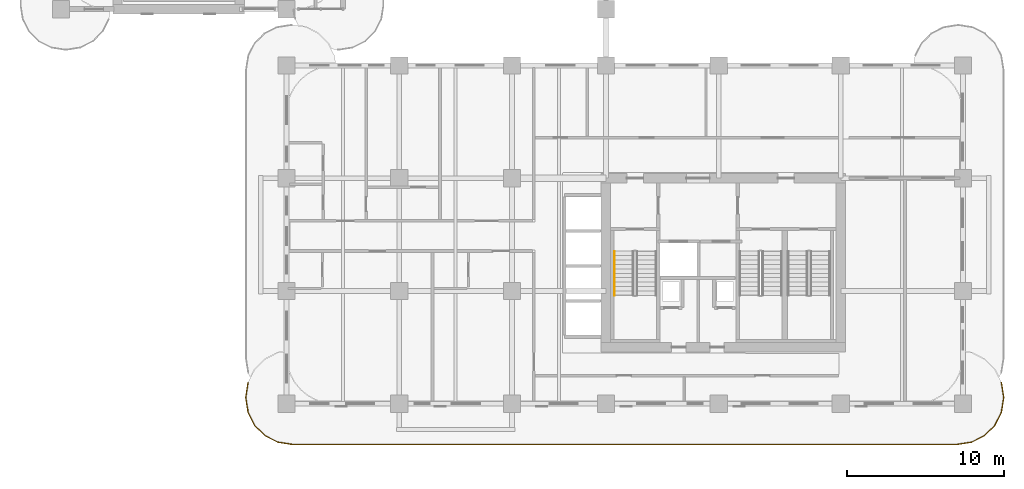
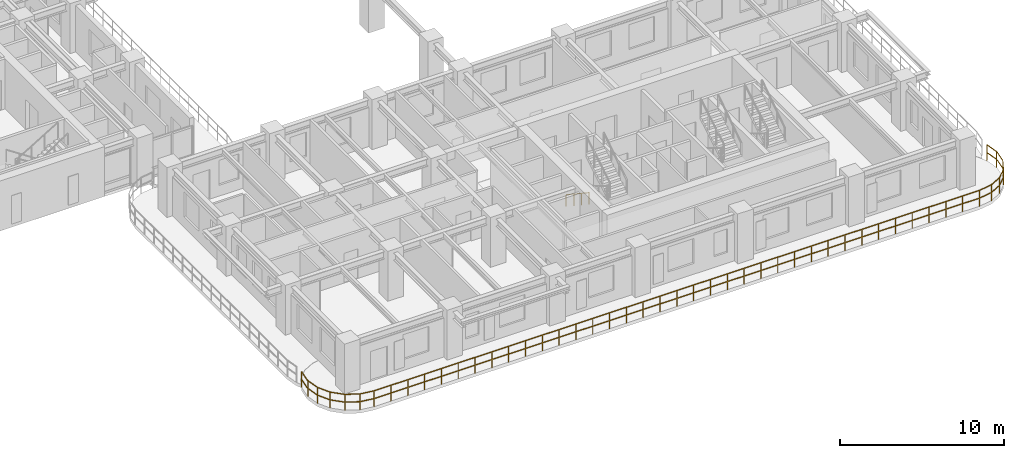
# One storey, part 14 of 19: 2 railings.
"""IFC4 building model written with IfcOpenShell, lengths in metres."""

from ifc_helpers import new_model, si_unit, derived_unit, direction, frame, origin, origin_2d, place, context, subcontext, project, spatial, rectangle, extrude, material, type_object, element, save


model = new_model("IFC4")

# Units and contexts
model_context = context("Model", 3, precision=1e-05, world=origin(), true_north=direction((0.0, 1.0)))
body_context = subcontext(model_context, "Body", "Model", "MODEL_VIEW")
ifc_project = project(units=[si_unit("LENGTHUNIT", "METRE"), si_unit("AREAUNIT", "SQUARE_METRE"), si_unit("VOLUMEUNIT", "CUBIC_METRE"), si_unit("PLANEANGLEUNIT", "RADIAN"), si_unit("MASSUNIT", "GRAM", prefix="KILO"), si_unit("THERMODYNAMICTEMPERATUREUNIT", "KELVIN"), si_unit("POWERUNIT", "WATT"), derived_unit("THERMALTRANSMITTANCEUNIT", [(si_unit("POWERUNIT", "WATT"), 1), (si_unit("AREAUNIT", "SQUARE_METRE"), -1), (si_unit("THERMODYNAMICTEMPERATUREUNIT", "KELVIN"), -1)])], contexts=[model_context])

# Site, building, storey
site_placement = place(None, origin())
site = spatial("IfcSite", under=ifc_project, at=site_placement, CompositionType="ELEMENT")
building_placement = place(site_placement, origin())
building = spatial("IfcBuilding", under=site, at=building_placement, Name="Zahravan Archway Hotel and Residences", CompositionType="ELEMENT")
storey_placement = place(building_placement, frame((0.0, 0.0, 47.199951171875)))
storey = spatial("IfcBuildingStorey", under=building, at=storey_placement, Name="L10", CompositionType="ELEMENT", Elevation=47.199951171875)

# Railings
ifc_material_1 = material(Name="Bronze & Laminated Glass Balustrade", Category="glass")
railing_type_1 = type_object("IfcRailingType", Name="RL-BAL-1200", PredefinedType="BALUSTRADE", material=ifc_material_1)
railing_1_placement = place(storey_placement, frame((60.0556640625, 1.361572265625, 0.0)))
element("IfcRailing", 1, at=railing_1_placement, inside=storey, type_object=railing_type_1, Name="L10 Balustrade RL-SLB-BAL-L10-SA-1", PredefinedType="BALUSTRADE", context=body_context, shape_type="SweptSolid", body=[
    extrude(rectangle(XDim=0.048095703125, YDim=0.048095703125, at=origin_2d()), frame((0.0, 0.0, 1.17578125), z_axis=(0.156329311416, -0.987704989555, 0.0), x_axis=(0.987704989555, 0.156329311416, 0.0)), (0.0, 0.0, 1.0), 0.9228515625),
    extrude(rectangle(XDim=0.048095703125, YDim=0.048095703125, at=origin_2d()), frame((0.0, 0.0, 0.60009765625), z_axis=(0.156329311416, -0.987704989555, 0.0), x_axis=(0.987704989555, 0.156329311416, 0.0)), (0.0, 0.0, 1.0), 0.9228515625),
    extrude(rectangle(XDim=0.048095703125, YDim=0.048095703125, at=origin_2d()), frame((0.144287109375, -0.91162109375, 1.17578125), z_axis=(0.0, -1.0, 0.0), x_axis=(1.0, 0.0, 0.0)), (0.0, 0.0, 1.0), 0.099853515625),
    extrude(rectangle(XDim=0.048095703125, YDim=0.048095703125, at=origin_2d()), frame((0.144287109375, -0.91162109375, 0.60009765625), z_axis=(0.0, -1.0, 0.0), x_axis=(1.0, 0.0, 0.0)), (0.0, 0.0, 1.0), 0.099853515625),
    extrude(rectangle(XDim=0.048095703125, YDim=0.048095703125, at=origin_2d()), frame((0.144287109375, -1.011474609375, 1.17578125), z_axis=(-0.156329311416, -0.987704989555, 0.0), x_axis=(0.987704989555, -0.156329311416, 0.0)), (0.0, 0.0, 1.0), 0.9228515625),
    extrude(rectangle(XDim=0.048095703125, YDim=0.048095703125, at=origin_2d()), frame((0.144287109375, -1.011474609375, 0.60009765625), z_axis=(-0.156329311416, -0.987704989555, 0.0), x_axis=(0.987704989555, -0.156329311416, 0.0)), (0.0, 0.0, 1.0), 0.9228515625),
    extrude(rectangle(XDim=0.048095703125, YDim=0.048095703125, at=origin_2d()), frame((0.0, -1.923095703125, 1.17578125), z_axis=(-0.453866348456, -0.891069771532, 0.0), x_axis=(0.891069771532, -0.453866348456, 0.0)), (0.0, 0.0, 1.0), 0.923095703125),
    extrude(rectangle(XDim=0.048095703125, YDim=0.048095703125, at=origin_2d()), frame((0.0, -1.923095703125, 0.60009765625), z_axis=(-0.453866348456, -0.891069771532, 0.0), x_axis=(0.891069771532, -0.453866348456, 0.0)), (0.0, 0.0, 1.0), 0.923095703125),
    extrude(rectangle(XDim=0.048095703125, YDim=0.048095703125, at=origin_2d()), frame((-0.4189453125, -2.74560546875, 1.17578125), z_axis=(-0.707239012465, -0.706974525176, 0.0), x_axis=(0.706974525176, -0.707239012465, 0.0)), (0.0, 0.0, 1.0), 0.923095703125),
    extrude(rectangle(XDim=0.048095703125, YDim=0.048095703125, at=origin_2d()), frame((-0.4189453125, -2.74560546875, 0.60009765625), z_axis=(-0.707239012465, -0.706974525176, 0.0), x_axis=(0.706974525176, -0.707239012465, 0.0)), (0.0, 0.0, 1.0), 0.923095703125),
    extrude(rectangle(XDim=0.048095703125, YDim=0.048095703125, at=origin_2d()), frame((-1.07177734375, -3.398193359375, 1.17578125), z_axis=(-0.891015268556, -0.453973337542, 0.0), x_axis=(0.453973337542, -0.891015268556, 0.0)), (0.0, 0.0, 1.0), 0.9228515625),
    extrude(rectangle(XDim=0.048095703125, YDim=0.048095703125, at=origin_2d()), frame((-1.07177734375, -3.398193359375, 0.60009765625), z_axis=(-0.891015268556, -0.453973337542, 0.0), x_axis=(0.453973337542, -0.891015268556, 0.0)), (0.0, 0.0, 1.0), 0.9228515625),
    extrude(rectangle(XDim=0.048095703125, YDim=0.048095703125, at=origin_2d()), frame((-1.89404296875, -3.817138671875, 1.17578125), z_axis=(-0.98766411426, -0.156587347521, 0.0), x_axis=(0.156587347521, -0.98766411426, 0.0)), (0.0, 0.0, 1.0), 0.923095703125),
    extrude(rectangle(XDim=0.048095703125, YDim=0.048095703125, at=origin_2d()), frame((-1.89404296875, -3.817138671875, 0.60009765625), z_axis=(-0.98766411426, -0.156587347521, 0.0), x_axis=(0.156587347521, -0.98766411426, 0.0)), (0.0, 0.0, 1.0), 0.923095703125),
    extrude(rectangle(XDim=0.048095703125, YDim=0.048095703125, at=origin_2d()), frame((-2.8056640625, -3.961669921875, 1.17578125), z_axis=(-1.0, 0.0, 0.0), x_axis=(0.0, -1.0, 0.0)), (0.0, 0.0, 1.0), 42.5),
    extrude(rectangle(XDim=0.048095703125, YDim=0.048095703125, at=origin_2d()), frame((-2.8056640625, -3.961669921875, 0.60009765625), z_axis=(-1.0, 0.0, 0.0), x_axis=(0.0, -1.0, 0.0)), (0.0, 0.0, 1.0), 42.5),
    extrude(rectangle(XDim=0.048095703125, YDim=0.048095703125, at=origin_2d()), frame((-45.3056640625, -3.961669921875, 1.17578125), z_axis=(-0.98766411426, 0.156587347521, 0.0), x_axis=(-0.156587347521, -0.98766411426, 0.0)), (0.0, 0.0, 1.0), 0.923095703125),
    extrude(rectangle(XDim=0.048095703125, YDim=0.048095703125, at=origin_2d()), frame((-45.3056640625, -3.961669921875, 0.60009765625), z_axis=(-0.98766411426, 0.156587347521, 0.0), x_axis=(-0.156587347521, -0.98766411426, 0.0)), (0.0, 0.0, 1.0), 0.923095703125),
    extrude(rectangle(XDim=0.048095703125, YDim=0.048095703125, at=origin_2d()), frame((-46.21728515625, -3.817138671875, 1.17578125), z_axis=(-0.891015268556, 0.453973337542, 0.0), x_axis=(-0.453973337542, -0.891015268556, 0.0)), (0.0, 0.0, 1.0), 0.9228515625),
    extrude(rectangle(XDim=0.048095703125, YDim=0.048095703125, at=origin_2d()), frame((-46.21728515625, -3.817138671875, 0.60009765625), z_axis=(-0.891015268556, 0.453973337542, 0.0), x_axis=(-0.453973337542, -0.891015268556, 0.0)), (0.0, 0.0, 1.0), 0.9228515625),
    extrude(rectangle(XDim=0.048095703125, YDim=0.048095703125, at=origin_2d()), frame((-47.03955078125, -3.398193359375, 1.17578125), z_axis=(-0.707239012465, 0.706974525176, 0.0), x_axis=(-0.706974525176, -0.707239012465, 0.0)), (0.0, 0.0, 1.0), 0.923095703125),
    extrude(rectangle(XDim=0.048095703125, YDim=0.048095703125, at=origin_2d()), frame((-47.03955078125, -3.398193359375, 0.60009765625), z_axis=(-0.707239012465, 0.706974525176, 0.0), x_axis=(-0.706974525176, -0.707239012465, 0.0)), (0.0, 0.0, 1.0), 0.923095703125),
    extrude(rectangle(XDim=0.048095703125, YDim=0.048095703125, at=origin_2d()), frame((-47.6923828125, -2.74560546875, 1.17578125), z_axis=(-0.453866348456, 0.891069771532, 0.0), x_axis=(-0.891069771532, -0.453866348456, 0.0)), (0.0, 0.0, 1.0), 0.923095703125),
    extrude(rectangle(XDim=0.048095703125, YDim=0.048095703125, at=origin_2d()), frame((-47.6923828125, -2.74560546875, 0.60009765625), z_axis=(-0.453866348456, 0.891069771532, 0.0), x_axis=(-0.891069771532, -0.453866348456, 0.0)), (0.0, 0.0, 1.0), 0.923095703125),
    extrude(rectangle(XDim=0.048095703125, YDim=0.048095703125, at=origin_2d()), frame((-48.111328125, -1.923095703125, 1.17578125), z_axis=(-0.156329311416, 0.987704989555, 0.0), x_axis=(-0.987704989555, -0.156329311416, 0.0)), (0.0, 0.0, 1.0), 0.9228515625),
    extrude(rectangle(XDim=0.048095703125, YDim=0.048095703125, at=origin_2d()), frame((-48.111328125, -1.923095703125, 0.60009765625), z_axis=(-0.156329311416, 0.987704989555, 0.0), x_axis=(-0.987704989555, -0.156329311416, 0.0)), (0.0, 0.0, 1.0), 0.9228515625),
    extrude(rectangle(XDim=0.048095703125, YDim=0.048095703125, at=origin_2d()), frame((-48.255615234375, -1.011474609375, 1.17578125), z_axis=(0.0, 1.0, 0.0), x_axis=(-1.0, 0.0, 0.0)), (0.0, 0.0, 1.0), 0.099853515625),
    extrude(rectangle(XDim=0.048095703125, YDim=0.048095703125, at=origin_2d()), frame((-48.255615234375, -1.011474609375, 0.60009765625), z_axis=(0.0, 1.0, 0.0), x_axis=(-1.0, 0.0, 0.0)), (0.0, 0.0, 1.0), 0.099853515625),
    extrude(rectangle(XDim=0.048095703125, YDim=0.048095703125, at=origin_2d()), frame((-48.255615234375, -0.91162109375, 1.17578125), z_axis=(0.156329311416, 0.987704989555, 0.0), x_axis=(-0.987704989555, 0.156329311416, 0.0)), (0.0, 0.0, 1.0), 0.9228515625),
    extrude(rectangle(XDim=0.048095703125, YDim=0.048095703125, at=origin_2d()), frame((-48.255615234375, -0.91162109375, 0.60009765625), z_axis=(0.156329311416, 0.987704989555, 0.0), x_axis=(-0.987704989555, 0.156329311416, 0.0)), (0.0, 0.0, 1.0), 0.9228515625),
    extrude(rectangle(XDim=0.0419921875, YDim=0.0419921875, at=origin_2d()), origin(), (0.0, 0.0, 1.0), 1.15185546875),
    extrude(rectangle(XDim=0.0419921875, YDim=0.0419921875, at=origin_2d()), frame((0.144287109375, -0.91162109375, 0.0)), (0.0, 0.0, 1.0), 1.15185546875),
    extrude(rectangle(XDim=0.0419921875, YDim=0.0419921875, at=origin_2d()), frame((0.0, -1.923095703125, 0.0)), (0.0, 0.0, 1.0), 1.15185546875),
    extrude(rectangle(XDim=0.0419921875, YDim=0.0419921875, at=origin_2d()), frame((-0.4189453125, -2.74560546875, 0.0)), (0.0, 0.0, 1.0), 1.15185546875),
    extrude(rectangle(XDim=0.0419921875, YDim=0.0419921875, at=origin_2d()), frame((-1.07177734375, -3.398193359375, 0.0)), (0.0, 0.0, 1.0), 1.15185546875),
    extrude(rectangle(XDim=0.0419921875, YDim=0.0419921875, at=origin_2d()), frame((-1.89404296875, -3.817138671875, 0.0)), (0.0, 0.0, 1.0), 1.15185546875),
    extrude(rectangle(XDim=0.0419921875, YDim=0.0419921875, at=origin_2d()), frame((-2.8056640625, -3.961669921875, 0.0)), (0.0, 0.0, 1.0), 1.15185546875),
    extrude(rectangle(XDim=0.0419921875, YDim=0.0419921875, at=origin_2d()), frame((-3.986328125, -3.961669921875, 0.0)), (0.0, 0.0, 1.0), 1.15185546875),
    extrude(rectangle(XDim=0.0419921875, YDim=0.0419921875, at=origin_2d()), frame((-5.166748046875, -3.961669921875, 0.0)), (0.0, 0.0, 1.0), 1.15185546875),
    extrude(rectangle(XDim=0.0419921875, YDim=0.0419921875, at=origin_2d()), frame((-6.347412109375, -3.961669921875, 0.0)), (0.0, 0.0, 1.0), 1.15185546875),
    extrude(rectangle(XDim=0.0419921875, YDim=0.0419921875, at=origin_2d()), frame((-7.52783203125, -3.961669921875, 0.0)), (0.0, 0.0, 1.0), 1.15185546875),
    extrude(rectangle(XDim=0.0419921875, YDim=0.0419921875, at=origin_2d()), frame((-8.70849609375, -3.961669921875, 0.0)), (0.0, 0.0, 1.0), 1.15185546875),
    extrude(rectangle(XDim=0.0419921875, YDim=0.0419921875, at=origin_2d()), frame((-9.888916015625, -3.961669921875, 0.0)), (0.0, 0.0, 1.0), 1.15185546875),
    extrude(rectangle(XDim=0.0419921875, YDim=0.0419921875, at=origin_2d()), frame((-11.069580078125, -3.961669921875, 0.0)), (0.0, 0.0, 1.0), 1.15185546875),
    extrude(rectangle(XDim=0.0419921875, YDim=0.0419921875, at=origin_2d()), frame((-12.25, -3.961669921875, 0.0)), (0.0, 0.0, 1.0), 1.15185546875),
    extrude(rectangle(XDim=0.0419921875, YDim=0.0419921875, at=origin_2d()), frame((-13.4306640625, -3.961669921875, 0.0)), (0.0, 0.0, 1.0), 1.15185546875),
    extrude(rectangle(XDim=0.0419921875, YDim=0.0419921875, at=origin_2d()), frame((-14.611328125, -3.961669921875, 0.0)), (0.0, 0.0, 1.0), 1.15185546875),
    extrude(rectangle(XDim=0.0419921875, YDim=0.0419921875, at=origin_2d()), frame((-15.791748046875, -3.961669921875, 0.0)), (0.0, 0.0, 1.0), 1.15185546875),
    extrude(rectangle(XDim=0.0419921875, YDim=0.0419921875, at=origin_2d()), frame((-16.972412109375, -3.961669921875, 0.0)), (0.0, 0.0, 1.0), 1.15185546875),
    extrude(rectangle(XDim=0.0419921875, YDim=0.0419921875, at=origin_2d()), frame((-18.15283203125, -3.961669921875, 0.0)), (0.0, 0.0, 1.0), 1.15185546875),
    extrude(rectangle(XDim=0.0419921875, YDim=0.0419921875, at=origin_2d()), frame((-19.33349609375, -3.961669921875, 0.0)), (0.0, 0.0, 1.0), 1.15185546875),
    extrude(rectangle(XDim=0.0419921875, YDim=0.0419921875, at=origin_2d()), frame((-20.513916015625, -3.961669921875, 0.0)), (0.0, 0.0, 1.0), 1.15185546875),
    extrude(rectangle(XDim=0.0419921875, YDim=0.0419921875, at=origin_2d()), frame((-21.694580078125, -3.961669921875, 0.0)), (0.0, 0.0, 1.0), 1.15185546875),
    extrude(rectangle(XDim=0.0419921875, YDim=0.0419921875, at=origin_2d()), frame((-22.875, -3.961669921875, 0.0)), (0.0, 0.0, 1.0), 1.15185546875),
    extrude(rectangle(XDim=0.0419921875, YDim=0.0419921875, at=origin_2d()), frame((-24.0556640625, -3.961669921875, 0.0)), (0.0, 0.0, 1.0), 1.15185546875),
    extrude(rectangle(XDim=0.0419921875, YDim=0.0419921875, at=origin_2d()), frame((-25.236328125, -3.961669921875, 0.0)), (0.0, 0.0, 1.0), 1.15185546875),
    extrude(rectangle(XDim=0.0419921875, YDim=0.0419921875, at=origin_2d()), frame((-26.416748046875, -3.961669921875, 0.0)), (0.0, 0.0, 1.0), 1.15185546875),
    extrude(rectangle(XDim=0.0419921875, YDim=0.0419921875, at=origin_2d()), frame((-27.597412109375, -3.961669921875, 0.0)), (0.0, 0.0, 1.0), 1.15185546875),
    extrude(rectangle(XDim=0.0419921875, YDim=0.0419921875, at=origin_2d()), frame((-28.77783203125, -3.961669921875, 0.0)), (0.0, 0.0, 1.0), 1.15185546875),
    extrude(rectangle(XDim=0.0419921875, YDim=0.0419921875, at=origin_2d()), frame((-29.95849609375, -3.961669921875, 0.0)), (0.0, 0.0, 1.0), 1.15185546875),
    extrude(rectangle(XDim=0.0419921875, YDim=0.0419921875, at=origin_2d()), frame((-31.138916015625, -3.961669921875, 0.0)), (0.0, 0.0, 1.0), 1.15185546875),
    extrude(rectangle(XDim=0.0419921875, YDim=0.0419921875, at=origin_2d()), frame((-32.319580078125, -3.961669921875, 0.0)), (0.0, 0.0, 1.0), 1.15185546875),
    extrude(rectangle(XDim=0.0419921875, YDim=0.0419921875, at=origin_2d()), frame((-33.5, -3.961669921875, 0.0)), (0.0, 0.0, 1.0), 1.15185546875),
    extrude(rectangle(XDim=0.0419921875, YDim=0.0419921875, at=origin_2d()), frame((-34.6806640625, -3.961669921875, 0.0)), (0.0, 0.0, 1.0), 1.15185546875),
    extrude(rectangle(XDim=0.0419921875, YDim=0.0419921875, at=origin_2d()), frame((-35.861328125, -3.961669921875, 0.0)), (0.0, 0.0, 1.0), 1.15185546875),
    extrude(rectangle(XDim=0.0419921875, YDim=0.0419921875, at=origin_2d()), frame((-37.041748046875, -3.961669921875, 0.0)), (0.0, 0.0, 1.0), 1.15185546875),
    extrude(rectangle(XDim=0.0419921875, YDim=0.0419921875, at=origin_2d()), frame((-38.222412109375, -3.961669921875, 0.0)), (0.0, 0.0, 1.0), 1.15185546875),
    extrude(rectangle(XDim=0.0419921875, YDim=0.0419921875, at=origin_2d()), frame((-39.40283203125, -3.961669921875, 0.0)), (0.0, 0.0, 1.0), 1.15185546875),
    extrude(rectangle(XDim=0.0419921875, YDim=0.0419921875, at=origin_2d()), frame((-40.58349609375, -3.961669921875, 0.0)), (0.0, 0.0, 1.0), 1.15185546875),
    extrude(rectangle(XDim=0.0419921875, YDim=0.0419921875, at=origin_2d()), frame((-41.763916015625, -3.961669921875, 0.0)), (0.0, 0.0, 1.0), 1.15185546875),
    extrude(rectangle(XDim=0.0419921875, YDim=0.0419921875, at=origin_2d()), frame((-42.944580078125, -3.961669921875, 0.0)), (0.0, 0.0, 1.0), 1.15185546875),
    extrude(rectangle(XDim=0.0419921875, YDim=0.0419921875, at=origin_2d()), frame((-44.125, -3.961669921875, 0.0)), (0.0, 0.0, 1.0), 1.15185546875),
    extrude(rectangle(XDim=0.0419921875, YDim=0.0419921875, at=origin_2d()), frame((-45.3056640625, -3.961669921875, 0.0)), (0.0, 0.0, 1.0), 1.15185546875),
    extrude(rectangle(XDim=0.0419921875, YDim=0.0419921875, at=origin_2d()), frame((-46.21728515625, -3.817138671875, 0.0)), (0.0, 0.0, 1.0), 1.15185546875),
    extrude(rectangle(XDim=0.0419921875, YDim=0.0419921875, at=origin_2d()), frame((-47.03955078125, -3.398193359375, 0.0)), (0.0, 0.0, 1.0), 1.15185546875),
    extrude(rectangle(XDim=0.0419921875, YDim=0.0419921875, at=origin_2d()), frame((-47.6923828125, -2.74560546875, 0.0)), (0.0, 0.0, 1.0), 1.15185546875),
    extrude(rectangle(XDim=0.0419921875, YDim=0.0419921875, at=origin_2d()), frame((-48.111328125, -1.923095703125, 0.0)), (0.0, 0.0, 1.0), 1.15185546875),
    extrude(rectangle(XDim=0.0419921875, YDim=0.0419921875, at=origin_2d()), frame((-48.255615234375, -1.011474609375, 0.0)), (0.0, 0.0, 1.0), 1.15185546875),
    extrude(rectangle(XDim=0.0419921875, YDim=0.0419921875, at=origin_2d()), frame((-48.111328125, 0.0, 0.0)), (0.0, 0.0, 1.0), 1.15185546875),
])
ifc_material_2 = material(Name="Brushed Stainless Steel", Category="steel")
railing_type_2 = type_object("IfcRailingType", Name="RL-STH-900", PredefinedType="HANDRAIL", material=ifc_material_2)
railing_2_placement = place(storey_placement, frame((35.35009765625, 9.72998046875, 0.168212890625)))
element("IfcRailing", 2, at=railing_2_placement, inside=storey, type_object=railing_type_2, Name="L10 ST-A1 stair handrail 1", PredefinedType="HANDRAIL", context=body_context, shape_type="SweptSolid", body=[
    extrude(rectangle(XDim=0.048095703125, YDim=0.048095703125, at=origin_2d()), frame((0.0, 0.0, 0.8759765625), z_axis=(0.0, -0.834326358476, 0.551270829586), x_axis=(1.0, 0.0, 0.0)), (0.0, 0.0, 1.0), 3.35595703125),
    extrude(rectangle(XDim=0.0419921875, YDim=0.0419921875, at=origin_2d()), origin(), (0.0, 0.0, 1.0), 0.851806640625),
    extrude(rectangle(XDim=0.0419921875, YDim=0.0419921875, at=origin_2d()), frame((0.0, -0.933349609375, 0.61669921875)), (0.0, 0.0, 1.0), 0.851806640625),
    extrude(rectangle(XDim=0.0419921875, YDim=0.0419921875, at=origin_2d()), frame((0.0, -1.86669921875, 1.2333984375)), (0.0, 0.0, 1.0), 0.851806640625),
    extrude(rectangle(XDim=0.0419921875, YDim=0.0419921875, at=origin_2d()), frame((0.0, -2.800048828125, 1.85009765625)), (0.0, 0.0, 1.0), 0.851806640625),
])

save(model, "model.ifc")
